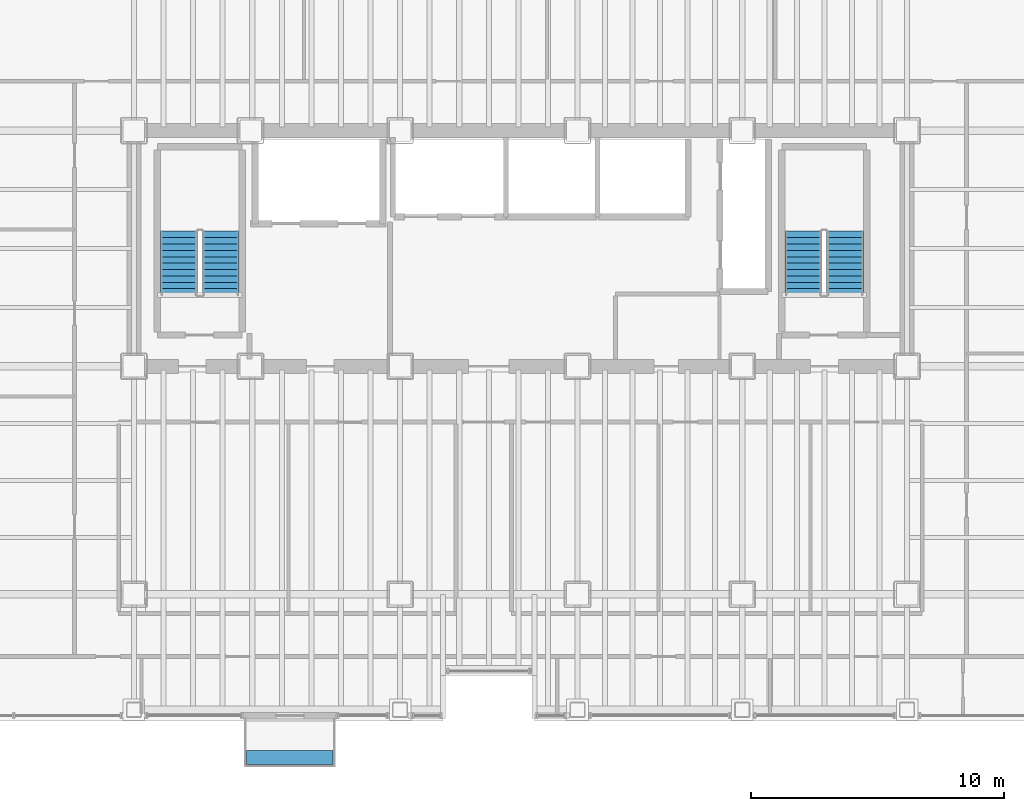
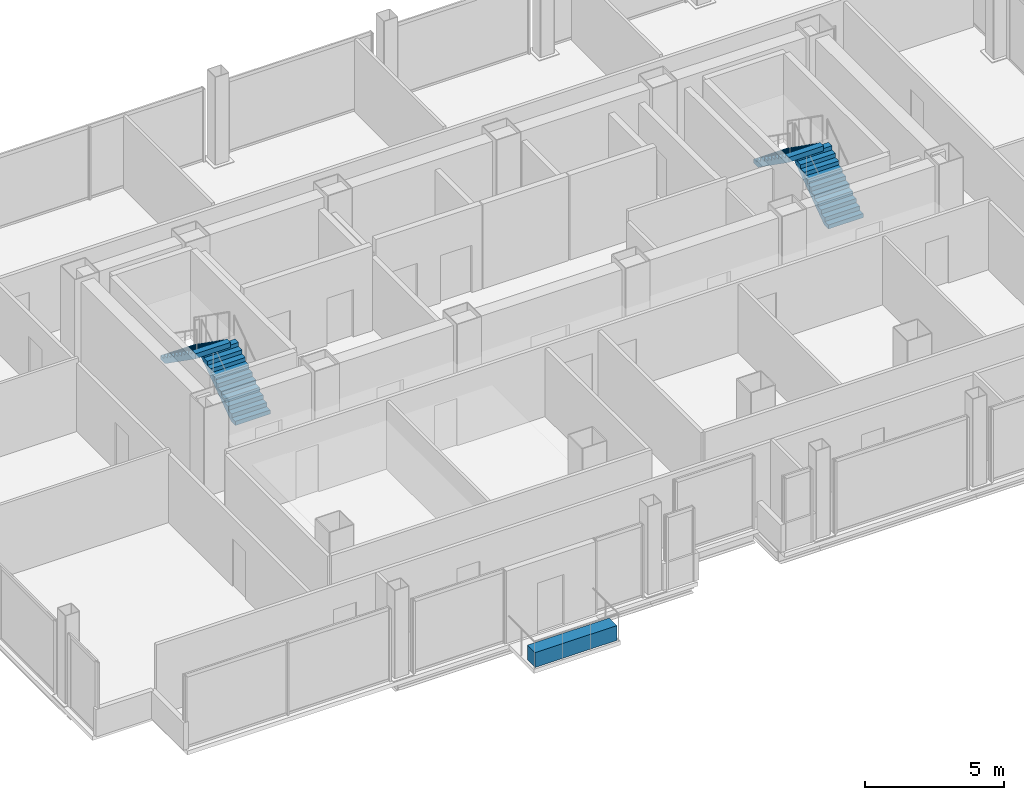
# One storey, part 20 of 21: 4 stair flights, 1 discrete accessory, 2 elements without a shape of their own.
"""IFC4 building model written with IfcOpenShell, lengths in metres."""

from ifc_helpers import new_model, si_unit, direction, frame, origin, origin_2d, place, context, subcontext, project, spatial, polyline, rectangle, outline, extrude, material, layer, layer_set, type_object, element, aggregate, save


model = new_model("IFC4")

# Units and contexts
model_context = context("Model", 3, precision=1e-05, world=origin(), true_north=direction((0.0, 1.0)))
body_context = subcontext(model_context, "Body", "Model", "MODEL_VIEW")
ifc_project = project(units=[si_unit("LENGTHUNIT", "METRE"), si_unit("AREAUNIT", "SQUARE_METRE"), si_unit("VOLUMEUNIT", "CUBIC_METRE"), si_unit("PLANEANGLEUNIT", "RADIAN"), si_unit("MASSUNIT", "GRAM", prefix="KILO")], contexts=[model_context])

# Site, building, storey
site_placement = place(None, origin())
site = spatial("IfcSite", under=ifc_project, at=site_placement, CompositionType="ELEMENT")
building_placement = place(site_placement, origin())
building = spatial("IfcBuilding", under=site, at=building_placement, Name="Noeulbin Bourse Tower", CompositionType="ELEMENT")
storey_placement = place(building_placement, frame((0.0, 0.0, 42.10009765625)))
storey = spatial("IfcBuildingStorey", under=building, at=storey_placement, Name="L10", CompositionType="ELEMENT", Elevation=42.10009765625)

# Stair, stair flights
ifc_material_1 = material(Name="Concrete C40/50", Category="concrete")
stair_type = type_object("IfcStairType", Name="STR-CORE-1560", PredefinedType="HALF_TURN_STAIR", material=ifc_material_1)
stair_1_placement = place(storey_placement, origin())
stair_1 = element("IfcStair", 1, at=stair_1_placement, inside=storey, type_object=stair_type, Name="L10 ST-1", PredefinedType="HALF_TURN_STAIR")
stair_flight_type = type_object("IfcStairFlightType", Name="SFL-CORE-1560", PredefinedType="STRAIGHT", material=ifc_material_1)
stair_flight_1_placement = place(storey_placement, frame((16.925048828125, 31.81005859375, 0.0), z_axis=(0.0, 0.0, 1.0), x_axis=(0.0, 1.0, 0.0)))
stair_flight_1 = element("IfcStairFlight", 2, at=stair_flight_1_placement, type_object=stair_flight_type, Name="ST-1 flight 1", NumberOfRisers=11, NumberOfTreads=10, PredefinedType="STRAIGHT", RiserHeight=0.177272727, TreadLength=0.252, context=body_context, shape_type="SweptSolid", body=[
    extrude(outline(polyline([(0.0, 0.0), (0.0, 0.17724609375), (0.251953125, 0.17724609375), (0.251953125, 0.3544921875), (0.50390625, 0.3544921875), (0.50390625, 0.53173828125), (0.756103515625, 0.53173828125), (0.756103515625, 0.708984375), (1.008056640625, 0.708984375), (1.008056640625, 0.886474609375), (1.260009765625, 0.886474609375), (1.260009765625, 1.063720703125), (1.511962890625, 1.063720703125), (1.511962890625, 1.240966796875), (1.763916015625, 1.240966796875), (1.763916015625, 1.418212890625), (2.01611328125, 1.418212890625), (2.01611328125, 1.595458984375), (2.26806640625, 1.595458984375), (2.26806640625, 1.772705078125), (2.52001953125, 1.772705078125), (2.52001953125, 1.949951171875), (2.52001953125, 1.552734375), (0.312744140625, 0.0), (0.0, 0.0)])), frame((0.0, 0.72509765625, 0.0), z_axis=(0.0, -1.0, 0.0), x_axis=(1.0, 0.0, 0.0)), (0.0, 0.0, 1.0), 1.449951171875),
])
stair_flight_2_placement = place(storey_placement, frame((15.27490234375, 34.330078125, 1.949951171875), z_axis=(0.0, 0.0, 1.0), x_axis=(0.0, -1.0, 0.0)))
stair_flight_2 = element("IfcStairFlight", 3, at=stair_flight_2_placement, type_object=stair_flight_type, Name="ST-1 flight 2", NumberOfRisers=11, NumberOfTreads=10, PredefinedType="STRAIGHT", RiserHeight=0.177272727, TreadLength=0.252, context=body_context, shape_type="SweptSolid", body=[
    extrude(outline(polyline([(0.0, 0.0), (0.0, 0.17724609375), (0.251953125, 0.17724609375), (0.251953125, 0.3544921875), (0.50390625, 0.3544921875), (0.50390625, 0.53173828125), (0.756103515625, 0.53173828125), (0.756103515625, 0.708984375), (1.008056640625, 0.708984375), (1.008056640625, 0.886474609375), (1.260009765625, 0.886474609375), (1.260009765625, 1.063720703125), (1.511962890625, 1.063720703125), (1.511962890625, 1.240966796875), (1.763916015625, 1.240966796875), (1.763916015625, 1.418212890625), (2.01611328125, 1.418212890625), (2.01611328125, 1.595458984375), (2.26806640625, 1.595458984375), (2.26806640625, 1.772705078125), (2.52001953125, 1.772705078125), (2.52001953125, 1.949951171875), (2.52001953125, 1.552734375), (0.312744140625, 0.0), (0.0, 0.0)])), frame((0.0, 0.72509765625, 0.0), z_axis=(0.0, -1.0, 0.0), x_axis=(1.0, 0.0, 0.0)), (0.0, 0.0, 1.0), 1.449951171875),
])
aggregate(stair_1, [stair_flight_1, stair_flight_2])

stair_2_placement = place(storey_placement, origin())
stair_2 = element("IfcStair", 4, at=stair_2_placement, inside=storey, type_object=stair_type, Name="L10 ST-2", PredefinedType="HALF_TURN_STAIR")
stair_flight_3_placement = place(storey_placement, frame((41.554931640625, 31.81005859375, 0.0), z_axis=(0.0, 0.0, 1.0), x_axis=(0.0, 1.0, 0.0)))
stair_flight_3 = element("IfcStairFlight", 5, at=stair_flight_3_placement, type_object=stair_flight_type, Name="ST-2 flight 1", NumberOfRisers=11, NumberOfTreads=10, PredefinedType="STRAIGHT", RiserHeight=0.177272727, TreadLength=0.252, context=body_context, shape_type="SweptSolid", body=[
    extrude(outline(polyline([(0.0, 0.0), (0.0, 0.17724609375), (0.251953125, 0.17724609375), (0.251953125, 0.3544921875), (0.50390625, 0.3544921875), (0.50390625, 0.53173828125), (0.756103515625, 0.53173828125), (0.756103515625, 0.708984375), (1.008056640625, 0.708984375), (1.008056640625, 0.886474609375), (1.260009765625, 0.886474609375), (1.260009765625, 1.063720703125), (1.511962890625, 1.063720703125), (1.511962890625, 1.240966796875), (1.763916015625, 1.240966796875), (1.763916015625, 1.418212890625), (2.01611328125, 1.418212890625), (2.01611328125, 1.595458984375), (2.26806640625, 1.595458984375), (2.26806640625, 1.772705078125), (2.52001953125, 1.772705078125), (2.52001953125, 1.949951171875), (2.52001953125, 1.552734375), (0.312744140625, 0.0), (0.0, 0.0)])), frame((0.0, 0.72509765625, 0.0), z_axis=(0.0, -1.0, 0.0), x_axis=(1.0, 0.0, 0.0)), (0.0, 0.0, 1.0), 1.449951171875),
])
stair_flight_4_placement = place(storey_placement, frame((39.905029296875, 34.330078125, 1.949951171875), z_axis=(0.0, 0.0, 1.0), x_axis=(0.0, -1.0, 0.0)))
stair_flight_4 = element("IfcStairFlight", 6, at=stair_flight_4_placement, type_object=stair_flight_type, Name="ST-2 flight 2", NumberOfRisers=11, NumberOfTreads=10, PredefinedType="STRAIGHT", RiserHeight=0.177272727, TreadLength=0.252, context=body_context, shape_type="SweptSolid", body=[
    extrude(outline(polyline([(0.0, 0.0), (0.0, 0.17724609375), (0.251953125, 0.17724609375), (0.251953125, 0.3544921875), (0.50390625, 0.3544921875), (0.50390625, 0.53173828125), (0.756103515625, 0.53173828125), (0.756103515625, 0.708984375), (1.008056640625, 0.708984375), (1.008056640625, 0.886474609375), (1.260009765625, 0.886474609375), (1.260009765625, 1.063720703125), (1.511962890625, 1.063720703125), (1.511962890625, 1.240966796875), (1.763916015625, 1.240966796875), (1.763916015625, 1.418212890625), (2.01611328125, 1.418212890625), (2.01611328125, 1.595458984375), (2.26806640625, 1.595458984375), (2.26806640625, 1.772705078125), (2.52001953125, 1.772705078125), (2.52001953125, 1.949951171875), (2.52001953125, 1.552734375), (0.312744140625, 0.0), (0.0, 0.0)])), frame((0.0, 0.72509765625, 0.0), z_axis=(0.0, -1.0, 0.0), x_axis=(1.0, 0.0, 0.0)), (0.0, 0.0, 1.0), 1.449951171875),
])
aggregate(stair_2, [stair_flight_3, stair_flight_4])

# Discrete accessory
ifc_material_2 = material(Name="Architectural GFRC Concrete C40/50", Category="concrete")
ifc_layer = layer(ifc_material_2, 0.64990234375)
ifc_layer_set = layer_set([ifc_layer], Name="Architectural GFRC Concrete C40/50")
discrete_accessory_type = type_object("IfcDiscreteAccessoryType", Name="PLANTER-BOX-3600", PredefinedType="USERDEFINED", material=ifc_layer_set)
discrete_accessory_placement = place(storey_placement, frame((19.64990234375, 13.56005859375, 0.0), z_axis=(0.0, 0.0, 1.0), x_axis=(1.0, 0.0, 0.0)))
element("IfcDiscreteAccessory", 7, at=discrete_accessory_placement, inside=storey, type_object=discrete_accessory_type, Name="Integrated Balcony Tree Planter Box L10", ObjectType="PLANTER", PredefinedType="USERDEFINED", context=body_context, shape_type="SweptSolid", body=[
    extrude(rectangle(XDim=3.39990234375, YDim=0.550048828125, at=origin_2d()), origin(), (0.0, 0.0, 1.0), 0.64990234375),
])

save(model, "model.ifc")
